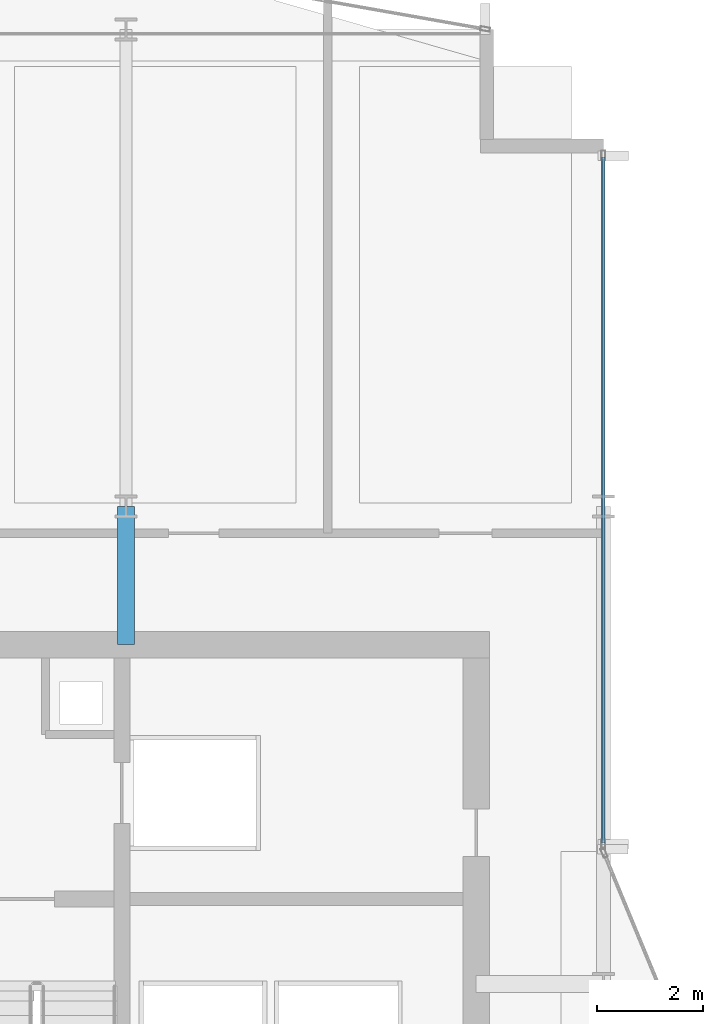
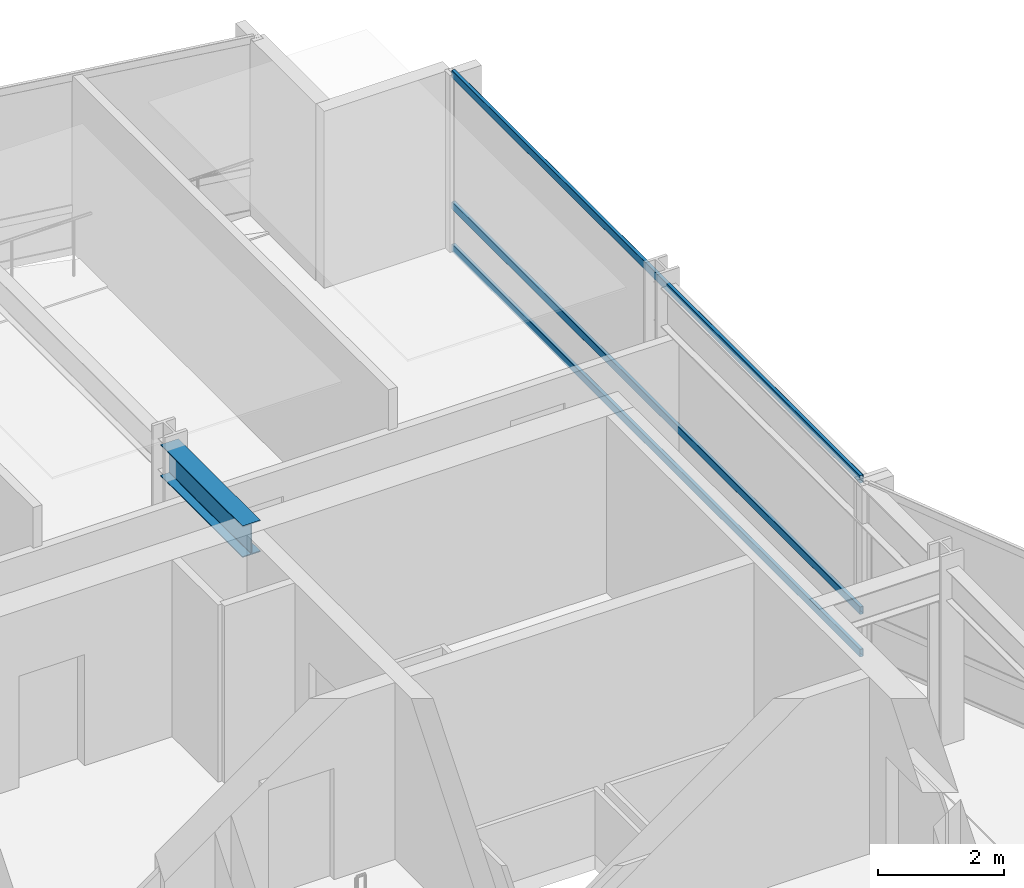
# One storey, part 18 of 29: 3 members, 1 beam, 1 element without a shape of its own.
"""IFC4 building model written with IfcOpenShell, lengths in metres."""

from ifc_helpers import new_model, si_unit, direction, frame, origin, origin_2d, place, context, subcontext, project, spatial, hollow_rectangle, i_section, extrude, material, layer, layer_set, material_profile, profile_set, type_object, element, aggregate, save


model = new_model("IFC4")

# Units and contexts
model_context = context("Model", 3, precision=1e-05, world=origin(), true_north=direction((0.0, 1.0)))
body_context = subcontext(model_context, "Body", "Model", "MODEL_VIEW")
ifc_project = project(units=[si_unit("LENGTHUNIT", "METRE"), si_unit("AREAUNIT", "SQUARE_METRE"), si_unit("VOLUMEUNIT", "CUBIC_METRE"), si_unit("PLANEANGLEUNIT", "RADIAN"), si_unit("MASSUNIT", "GRAM", prefix="KILO")], contexts=[model_context])

# Site, building, storey
site_placement = place(None, origin())
site = spatial("IfcSite", under=ifc_project, at=site_placement, CompositionType="ELEMENT")
building_placement = place(site_placement, origin())
building = spatial("IfcBuilding", under=site, at=building_placement, Name="Solvaryn Broadcast Tower", CompositionType="ELEMENT")
storey_placement = place(building_placement, frame((0.0, 0.0, 161.800048828125)))
storey = spatial("IfcBuildingStorey", under=building, at=storey_placement, Name="L40", CompositionType="ELEMENT", Elevation=161.800048828125)

# Beam
ifc_material_1 = material(Name="Steel ASTM A992 Grade 50", Category="steel")
ifc_material_profile_1 = material_profile(ifc_material_1, i_section(OverallWidth=0.323974609375, OverallDepth=0.611083984375, WebThickness=0.0126953125, FlangeThickness=0.01904296875, FilletRadius=0.014892578125, at=origin_2d()))
ifc_profile_set_1 = profile_set([ifc_material_profile_1], Name="Steel ASTM A992 Grade 50")
beam_type = type_object("IfcBeamType", Name="BM-B1-W24X104", PredefinedType="BEAM", material=ifc_profile_set_1)
beam_placement = place(storey_placement, frame((18.0, 42.39990234375, 3.114501953125), z_axis=(0.0, 1.0, 0.0), x_axis=(-1.0, 0.0, 0.0)))
element("IfcBeam", 1, at=beam_placement, inside=storey, type_object=beam_type, Name="L40 Core Tie Beam CTW3", PredefinedType="BEAM", context=body_context, shape_type="SweptSolid", body=[
    extrude(i_section(OverallWidth=0.323974609375, OverallDepth=0.611083984375, WebThickness=0.0126953125, FlangeThickness=0.01904296875, FilletRadius=0.014892578125, at=origin_2d()), origin(), (0.0, 0.0, 1.0), 2.60009765625),
])

# Curtain wall, members
ifc_material_2 = material(Name="Aluminium and Terracotta Unitised Curtain Wall", Category="masonry")
ifc_layer = layer(ifc_material_2, 0.199951171875)
ifc_layer_set = layer_set([ifc_layer], Name="CW-SYS2-LOWMID")
curtain_wall_type = type_object("IfcCurtainWallType", Name="CW-SYS2-LOWMID", PredefinedType="NOTDEFINED", material=ifc_layer_set)
curtain_wall_placement = place(storey_placement, origin())
curtain_wall = element("IfcCurtainWall", 2, at=curtain_wall_placement, inside=storey, type_object=curtain_wall_type, Name="L40 Curtain Wall IV", PredefinedType="NOTDEFINED")
ifc_material_3 = material(Name="Anodised Aluminium 6063-T6", Category="aluminium")
ifc_material_profile_2 = material_profile(ifc_material_3, hollow_rectangle(XDim=0.06494140625, YDim=0.14990234375, WallThickness=0.00390625, InnerFilletRadius=0.00390625, OuterFilletRadius=0.008056640625, at=origin_2d()))
ifc_profile_set_2 = profile_set([ifc_material_profile_2], Name="Anodised Aluminium 6063-T6")
member_type = type_object("IfcMemberType", Name="CW-TRN-150", PredefinedType="USERDEFINED", material=ifc_profile_set_2)
member_1_placement = place(storey_placement, frame((27.0, 51.590087890625, 0.030029296875), z_axis=(0.0, -1.0, 0.0), x_axis=(1.0, 0.0, 0.0)))
member_1 = element("IfcMember", 3, at=member_1_placement, type_object=member_type, Name="CWS2 transom 1.1", ObjectType="TRANSOM", PredefinedType="USERDEFINED", context=body_context, shape_type="SweptSolid", body=[
    extrude(hollow_rectangle(XDim=0.06494140625, YDim=0.14990234375, WallThickness=0.00390625, InnerFilletRadius=0.00390625, OuterFilletRadius=0.008056640625, at=origin_2d()), origin(), (0.0, 0.0, 1.0), 12.93017578125),
])
member_2_placement = place(storey_placement, frame((27.0, 51.590087890625, 0.849853515625), z_axis=(0.0, -1.0, 0.0), x_axis=(1.0, 0.0, 0.0)))
member_2 = element("IfcMember", 4, at=member_2_placement, type_object=member_type, Name="CWS2 transom 1.2", ObjectType="TRANSOM", PredefinedType="USERDEFINED", context=body_context, shape_type="SweptSolid", body=[
    extrude(hollow_rectangle(XDim=0.06494140625, YDim=0.14990234375, WallThickness=0.00390625, InnerFilletRadius=0.00390625, OuterFilletRadius=0.008056640625, at=origin_2d()), origin(), (0.0, 0.0, 1.0), 12.93017578125),
])
member_3_placement = place(storey_placement, frame((27.0, 51.590087890625, 3.389892578125), z_axis=(0.0, -1.0, 0.0), x_axis=(1.0, 0.0, 0.0)))
member_3 = element("IfcMember", 5, at=member_3_placement, type_object=member_type, Name="CWS2 transom 1.3", ObjectType="TRANSOM", PredefinedType="USERDEFINED", context=body_context, shape_type="SweptSolid", body=[
    extrude(hollow_rectangle(XDim=0.06494140625, YDim=0.14990234375, WallThickness=0.00390625, InnerFilletRadius=0.00390625, OuterFilletRadius=0.008056640625, at=origin_2d()), origin(), (0.0, 0.0, 1.0), 12.93017578125),
])
aggregate(curtain_wall, [member_1, member_2, member_3])

save(model, "model.ifc")
